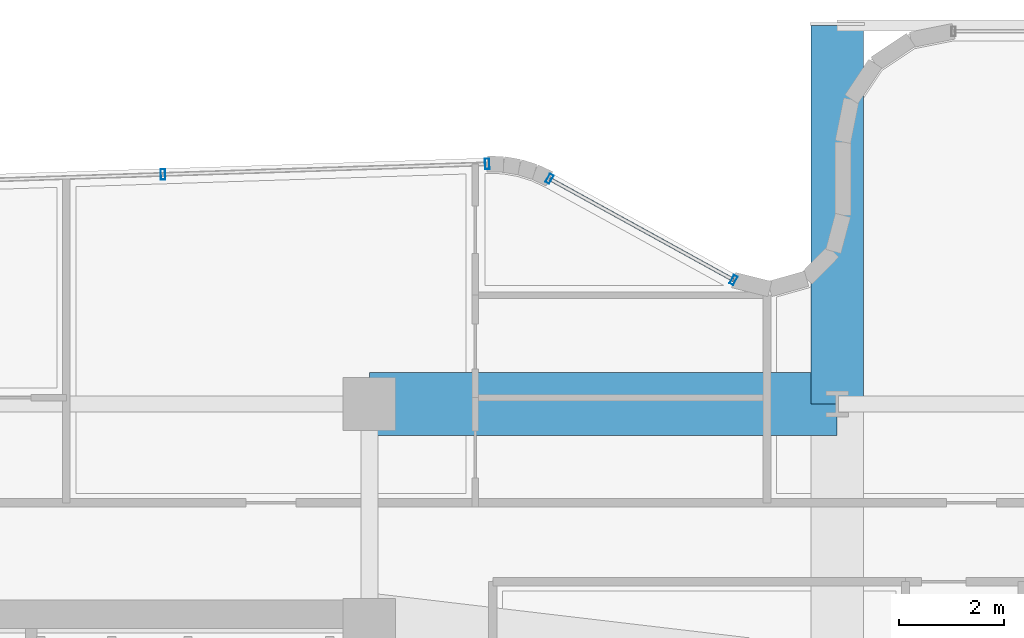
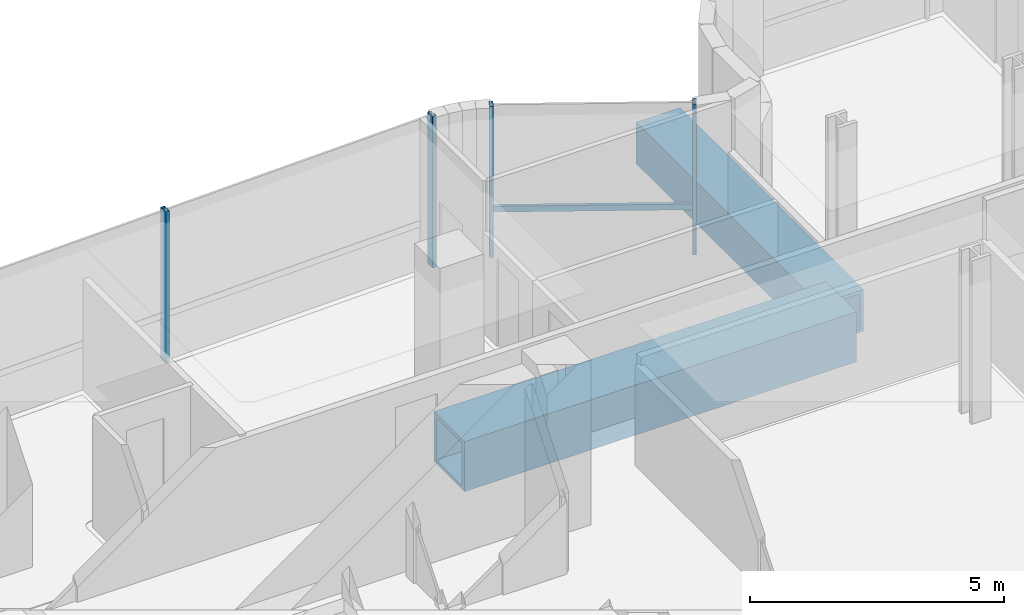
# One storey, part 20 of 38: 5 members, 2 beams, 2 elements without a shape of their own.
"""IFC4 building model written with IfcOpenShell, lengths in metres."""

from ifc_helpers import new_model, si_unit, direction, frame, origin, origin_2d, place, context, subcontext, project, spatial, hollow_rectangle, extrude, source, transform, mapped, material, material_profile, profile_set, type_object, element, aggregate, save


model = new_model("IFC4")

# Units and contexts
model_context = context("Model", 3, precision=1e-05, world=origin(), true_north=direction((0.0, 1.0)))
body_context = subcontext(model_context, "Body", "Model", "MODEL_VIEW")
ifc_project = project(units=[si_unit("LENGTHUNIT", "METRE"), si_unit("AREAUNIT", "SQUARE_METRE"), si_unit("VOLUMEUNIT", "CUBIC_METRE"), si_unit("PLANEANGLEUNIT", "RADIAN"), si_unit("MASSUNIT", "GRAM", prefix="KILO")], contexts=[model_context])

# Site, building, storey
site_placement = place(None, origin())
site = spatial("IfcSite", under=ifc_project, at=site_placement, CompositionType="ELEMENT")
building_placement = place(site_placement, origin())
building = spatial("IfcBuilding", under=site, at=building_placement, Name="Valdorenza Pilgrim Sanctuary Tower", CompositionType="ELEMENT")
storey_placement = place(building_placement, frame((0.0, 0.0, 180.5)))
storey = spatial("IfcBuildingStorey", under=building, at=storey_placement, Name="L46", CompositionType="ELEMENT", Elevation=180.5)

# Beams
ifc_material_1 = material(Name="Steel ASTM A572 Grade 42", Category="steel")
ifc_material_profile_1 = material_profile(ifc_material_1, hollow_rectangle(XDim=1.199951171875, YDim=1.199951171875, WallThickness=0.090087890625, at=origin_2d()), Name="BOX 1200x1200x90")
ifc_profile_set_1 = profile_set([ifc_material_profile_1], Name="Steel ASTM A572 Grade 42")
beam_type_1 = type_object("IfcBeamType", Name="STR-BM-TRF-1200", PredefinedType="BEAM", material=ifc_profile_set_1)
shared_shape_1 = source(origin(), body_context, "Body", "SweptSolid", [
    extrude(hollow_rectangle(XDim=1.199951171875, YDim=1.199951171875, WallThickness=0.090087890625, at=origin_2d()), origin(), (0.0, 0.0, 1.0), 8.89990234375),
])
beam_1_placement = place(storey_placement, frame((-12.39990234375, 14.800048828125, -0.919921875), z_axis=(1.0, 0.0, 0.0), x_axis=(0.0, 1.0, 0.0)))
element("IfcBeam", 1, at=beam_1_placement, inside=storey, type_object=beam_type_1, Name="L46 Portal Bridge Transfer Girder PRY-G1-P14", PredefinedType="BEAM", context=body_context, shape_type="MappedRepresentation", body=[
    mapped(shared_shape_1, transform((0.0, 0.0, 0.0), x_axis=(1.0, 0.0, 0.0), y_axis=(0.0, 1.0, 0.0), z_axis=(0.0, 0.0, 1.0), scale=1.0)),
])
ifc_material_profile_2 = material_profile(ifc_material_1, hollow_rectangle(XDim=1.0, YDim=1.0, WallThickness=0.080078125, at=origin_2d()), Name="BOX 1000x1000x80")
ifc_profile_set_2 = profile_set([ifc_material_profile_2], Name="Steel ASTM A572 Grade 42")
beam_type_2 = type_object("IfcBeamType", Name="STR-BM-PROW-CANT", PredefinedType="BEAM", material=ifc_profile_set_2)
shared_shape_2 = source(origin(), body_context, "Body", "SweptSolid", [
    extrude(hollow_rectangle(XDim=1.0, YDim=1.0, WallThickness=0.080078125, at=origin_2d()), origin(), (0.0, 0.0, 1.0), 7.199951171875),
])
beam_2_placement = place(storey_placement, frame((-3.5, 14.800048828125, -0.820068359375), z_axis=(0.0, 1.0, 0.0), x_axis=(-1.0, 0.0, 0.0)))
element("IfcBeam", 2, at=beam_2_placement, inside=storey, type_object=beam_type_2, Name="L46 North Sanctuary Prow Cantilever PROW-CANT-N-W", PredefinedType="BEAM", context=body_context, shape_type="MappedRepresentation", body=[
    mapped(shared_shape_2, transform((0.0, 0.0, 0.0), x_axis=(1.0, 0.0, 0.0), y_axis=(0.0, 1.0, 0.0), z_axis=(0.0, 0.0, 1.0), scale=1.0)),
])

# Curtain wall, member
ifc_material_2 = material(Name="Curtain-wall IGU glazing", Category="glass")
curtain_wall_type_1 = type_object("IfcCurtainWallType", Name="CW-SYS-05", PredefinedType="NOTDEFINED", material=ifc_material_2)
curtain_wall_1_placement = place(storey_placement, origin())
curtain_wall_1 = element("IfcCurtainWall", 3, at=curtain_wall_1_placement, inside=storey, type_object=curtain_wall_type_1, Name="L46 Curtain Wall CW-L46-1-11", PredefinedType="NOTDEFINED")
ifc_material_3 = material(Name="Anodised aluminium AW-6060", Category="aluminium")
ifc_material_profile_3 = material_profile(ifc_material_3, hollow_rectangle(XDim=0.070068359375, YDim=0.139892578125, WallThickness=0.00341796875, at=origin_2d()), Name="ALU-T 140x70x3.5")
ifc_profile_set_3 = profile_set([ifc_material_profile_3], Name="Anodised aluminium AW-6060")
member_type_1 = type_object("IfcMemberType", Name="CW-TRN-05", PredefinedType="USERDEFINED", material=ifc_profile_set_3)
shared_shape_3 = source(origin(), body_context, "Body", "SweptSolid", [
    extrude(hollow_rectangle(XDim=0.070068359375, YDim=0.139892578125, WallThickness=0.00341796875, at=origin_2d()), origin(), (0.0, 0.0, 1.0), 3.99609375),
])
member_1_placement = place(storey_placement, frame((-8.972900390625, 19.084716796875, 1.1201171875), z_axis=(0.876178497897, -0.48198676312, 0.0), x_axis=(0.48198676312, 0.876178497897, 0.0)))
member_1 = element("IfcMember", 4, at=member_1_placement, type_object=member_type_1, Name="CW-L46-1-11 Transom 1", ObjectType="TRANSOM", PredefinedType="USERDEFINED", context=body_context, shape_type="MappedRepresentation", body=[
    mapped(shared_shape_3, transform((0.0, 0.0, 0.0), x_axis=(1.0, 0.0, 0.0), y_axis=(0.0, 1.0, 0.0), z_axis=(0.0, 0.0, 1.0), scale=1.0)),
])

# Curtain wall, members
curtain_wall_type_2 = type_object("IfcCurtainWallType", Name="CW-SYS-02", PredefinedType="NOTDEFINED", material=ifc_material_2)
curtain_wall_2_placement = place(storey_placement, origin())
curtain_wall_2 = element("IfcCurtainWall", 5, at=curtain_wall_2_placement, inside=storey, type_object=curtain_wall_type_2, Name="L46 Curtain Wall CW-L46-1-6", PredefinedType="NOTDEFINED")
ifc_material_profile_4 = material_profile(ifc_material_3, hollow_rectangle(XDim=0.0849609375, YDim=0.199951171875, WallThickness=0.0048828125, at=origin_2d()), Name="ALU-M 200x85x5")
ifc_profile_set_4 = profile_set([ifc_material_profile_4], Name="Anodised aluminium AW-6060")
member_type_2 = type_object("IfcMemberType", Name="CW-MUL-02", PredefinedType="MULLION", material=ifc_profile_set_4)
shared_shape_4 = source(origin(), body_context, "Body", "SweptSolid", [
    extrude(hollow_rectangle(XDim=0.0849609375, YDim=0.199951171875, WallThickness=0.0048828125, at=origin_2d()), origin(), (0.0, 0.0, 1.0), 3.6298828125),
])
member_2_placement = place(storey_placement, frame((-16.32666015625, 19.167724609375, 0.0), z_axis=(0.0, 0.0, 1.0), x_axis=(0.999470282811, 0.032544642846, 0.0)))
member_2 = element("IfcMember", 6, at=member_2_placement, type_object=member_type_2, Name="CW-L46-1-6 Mullion 3", PredefinedType="MULLION", context=body_context, shape_type="MappedRepresentation", body=[
    mapped(shared_shape_4, transform((0.0, 0.0, 0.0), x_axis=(1.0, 0.0, 0.0), y_axis=(0.0, 1.0, 0.0), z_axis=(0.0, 0.0, 1.0), scale=1.0)),
])
member_3_placement = place(storey_placement, frame((-10.157958984375, 19.368408203125, 0.0), z_axis=(0.0, 0.0, 1.0), x_axis=(0.999470282811, 0.032544642846, 0.0)))
member_3 = element("IfcMember", 7, at=member_3_placement, type_object=member_type_2, Name="CW-L46-1-6 Mullion 4", PredefinedType="MULLION", context=body_context, shape_type="MappedRepresentation", body=[
    mapped(shared_shape_4, transform((0.0, 0.0, 0.0), x_axis=(1.0, 0.0, 0.0), y_axis=(0.0, 1.0, 0.0), z_axis=(0.0, 0.0, 1.0), scale=1.0)),
])
aggregate(curtain_wall_2, [member_2, member_3])

# Member
ifc_material_profile_5 = material_profile(ifc_material_3, hollow_rectangle(XDim=0.080078125, YDim=0.179931640625, WallThickness=0.00439453125, at=origin_2d()), Name="ALU-M 180x80x4.5")
ifc_profile_set_5 = profile_set([ifc_material_profile_5], Name="Anodised aluminium AW-6060")
member_type_3 = type_object("IfcMemberType", Name="CW-MUL-05", PredefinedType="MULLION", material=ifc_profile_set_5)
shared_shape_5 = source(origin(), body_context, "Body", "SweptSolid", [
    extrude(hollow_rectangle(XDim=0.080078125, YDim=0.179931640625, WallThickness=0.00439453125, at=origin_2d()), origin(), (0.0, 0.0, 1.0), 3.6298828125),
])
member_4_placement = place(storey_placement, frame((-8.972900390625, 19.084716796875, 0.0), z_axis=(0.0, 0.0, 1.0), x_axis=(0.876214173829, -0.481921904027, 0.0)))
member_4 = element("IfcMember", 8, at=member_4_placement, type_object=member_type_3, Name="CW-L46-1-11 Mullion 1", PredefinedType="MULLION", context=body_context, shape_type="MappedRepresentation", body=[
    mapped(shared_shape_5, transform((0.0, 0.0, 0.0), x_axis=(1.0, 0.0, 0.0), y_axis=(0.0, 1.0, 0.0), z_axis=(0.0, 0.0, 1.0), scale=1.0)),
])

member_5_placement = place(storey_placement, frame((-5.4716796875, 17.15869140625, 0.0), z_axis=(0.0, 0.0, 1.0), x_axis=(0.876214173829, -0.481921904027, 0.0)))
member_5 = element("IfcMember", 9, at=member_5_placement, type_object=member_type_3, Name="CW-L46-1-11 Mullion 2", PredefinedType="MULLION", context=body_context, shape_type="MappedRepresentation", body=[
    mapped(shared_shape_5, transform((0.0, 0.0, 0.0), x_axis=(1.0, 0.0, 0.0), y_axis=(0.0, 1.0, 0.0), z_axis=(0.0, 0.0, 1.0), scale=1.0)),
])

aggregate(curtain_wall_1, [member_4, member_5, member_1])

save(model, "model.ifc")
